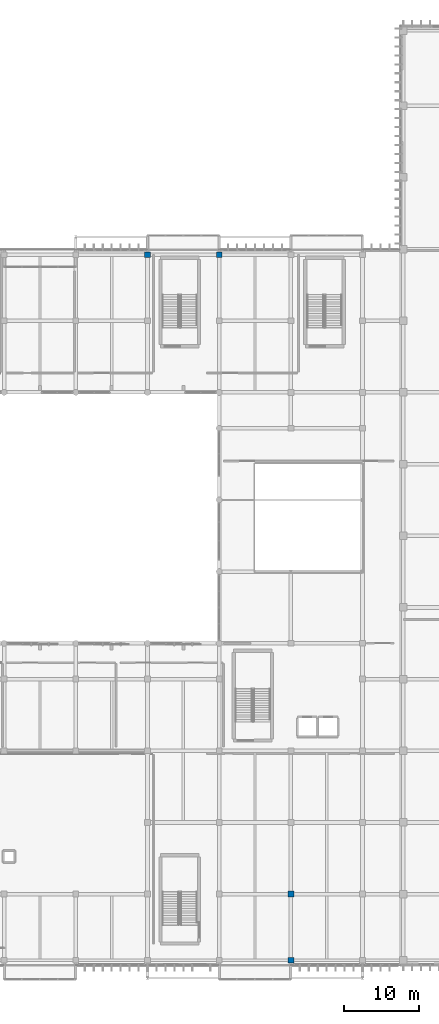
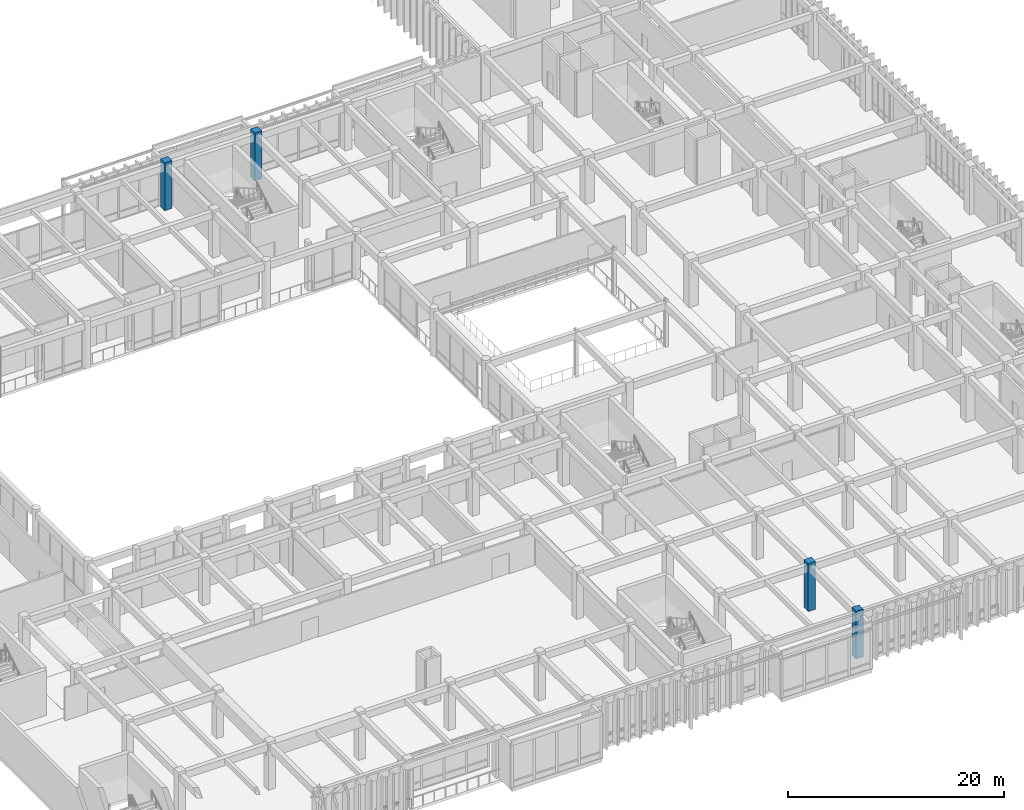
# One storey, part 5 of 134: 4 columns.
"""IFC4 building model written with IfcOpenShell, lengths in metres."""

from ifc_helpers import new_model, si_unit, direction, frame, origin, origin_2d, place, context, subcontext, project, spatial, rectangle, extrude, material, material_profile, profile_set, type_object, element, save


model = new_model("IFC4")

# Units and contexts
model_context = context("Model", 3, precision=1e-05, world=origin(), true_north=direction((0.0, 1.0)))
body_context = subcontext(model_context, "Body", "Model", "MODEL_VIEW")
ifc_project = project(units=[si_unit("LENGTHUNIT", "METRE"), si_unit("AREAUNIT", "SQUARE_METRE"), si_unit("VOLUMEUNIT", "CUBIC_METRE"), si_unit("PLANEANGLEUNIT", "RADIAN"), si_unit("MASSUNIT", "GRAM", prefix="KILO")], contexts=[model_context])

# Site, building, storey
site_placement = place(None, origin())
site = spatial("IfcSite", under=ifc_project, at=site_placement, CompositionType="ELEMENT")
building_placement = place(site_placement, origin())
building = spatial("IfcBuilding", under=site, at=building_placement, Name="Nakhvara Creek Congress Hotel", CompositionType="ELEMENT")
storey_placement = place(building_placement, frame((0.0, 0.0, 6.0)))
storey = spatial("IfcBuildingStorey", under=building, at=storey_placement, Name="L01", CompositionType="ELEMENT", Elevation=6.0)

# Columns
ifc_material = material(Name="Concrete C50/60", Category="concrete")
ifc_material_profile = material_profile(ifc_material, rectangle(XDim=0.780029296875, YDim=0.780029296875, at=origin_2d()), Name="RC-COL 780x780", Category="LoadBearing")
ifc_profile_set = profile_set([ifc_material_profile], Name="Concrete C50/60")
column_type = type_object("IfcColumnType", Name="COL-RC-780", PredefinedType="COLUMN", material=ifc_profile_set)
for number, where, z_axis, x_axis, name in (
    (1, (115.199951171875, 95.25, 0.0), (0.0, 0.0, 1.0), (1.0, 0.0, 0.0), "Column C19-L01-0941"),
    (2, (124.800048828125, 95.25, 0.0), (0.0, 0.0, 1.0), (1.0, 0.0, 0.0), "Column C19-L01-0953"),
    (3, (134.39990234375, 0.75, 0.0), (0.0, 0.0, 1.0), (1.0, 0.0, 0.0), "Column C19-L01-0954"),
    (4, (134.39990234375, 9.60009765625, 0.0), (0.0, 0.0, 1.0), (1.0, 0.0, 0.0), "Column C19-L01-0955"),
):
    element("IfcColumn", number, at=place(storey_placement, frame(where, z_axis=z_axis, x_axis=x_axis)), inside=storey, type_object=column_type, Name=name, PredefinedType="COLUMN", context=body_context, shape_type="SweptSolid", body=[
        extrude(rectangle(XDim=0.780029296875, YDim=0.780029296875, at=origin_2d()), origin(), (0.0, 0.0, 1.0), 5.39990234375),
    ])

save(model, "model.ifc")
